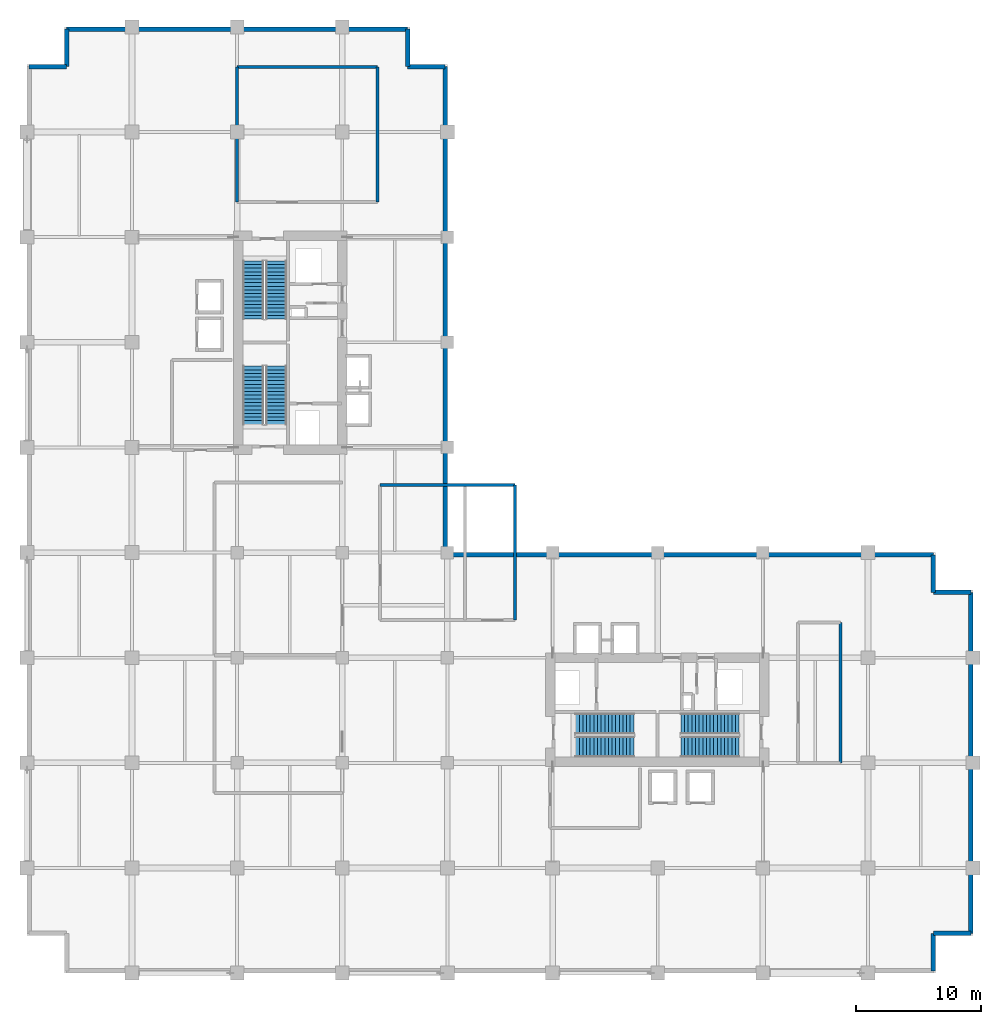
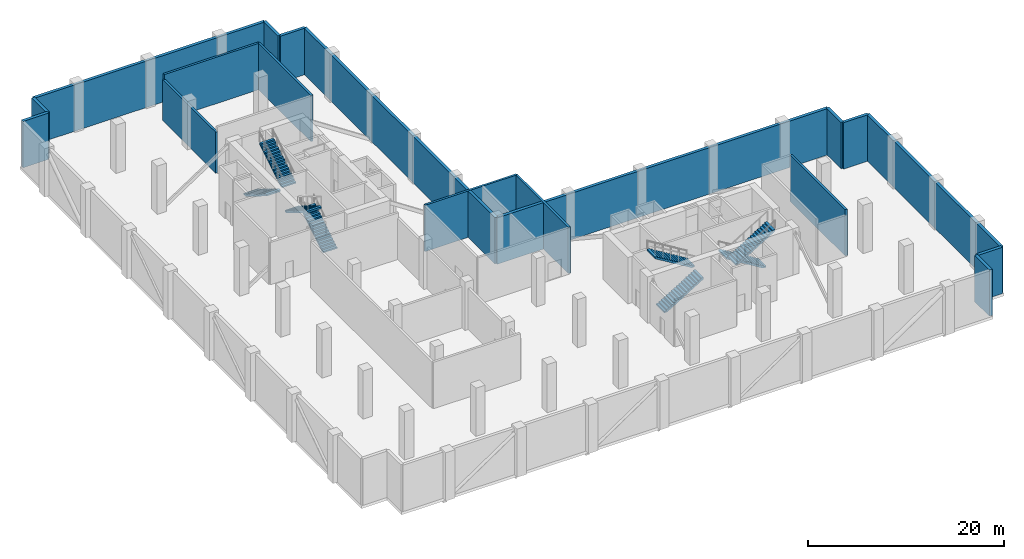
# One storey, part 14 of 16: 18 walls, 8 stair flights, 4 elements without a shape of their own.
"""IFC4 building model written with IfcOpenShell, lengths in metres."""

from ifc_helpers import new_model, si_unit, direction, frame, frame_2d, origin, place, context, subcontext, project, spatial, polyline, rectangle, outline, extrude, material, layer, layer_set, type_object, element, aggregate, save


model = new_model("IFC4")

# Units and contexts
model_context = context("Model", 3, precision=1e-05, world=origin(), true_north=direction((0.0, 1.0)))
body_context = subcontext(model_context, "Body", "Model", "MODEL_VIEW")
ifc_project = project(units=[si_unit("LENGTHUNIT", "METRE"), si_unit("AREAUNIT", "SQUARE_METRE"), si_unit("VOLUMEUNIT", "CUBIC_METRE"), si_unit("PLANEANGLEUNIT", "RADIAN"), si_unit("MASSUNIT", "GRAM", prefix="KILO")], contexts=[model_context])

# Site, building, storey
site_placement = place(None, origin())
site = spatial("IfcSite", under=ifc_project, at=site_placement, CompositionType="ELEMENT")
building_placement = place(site_placement, origin())
building = spatial("IfcBuilding", under=site, at=building_placement, Name="Koriwani Terraces Tower", CompositionType="ELEMENT")
storey_placement = place(building_placement, frame((0.0, 0.0, 162.0)))
storey = spatial("IfcBuildingStorey", under=building, at=storey_placement, Name="L39", CompositionType="ELEMENT", Elevation=162.0)

# Walls
ifc_material_1 = material(Name="Concrete C50/60", Category="concrete")
ifc_layer_1 = layer(ifc_material_1, 0.35009765625, Name="Concrete C50/60")
ifc_layer_set_1 = layer_set([ifc_layer_1], Name="Concrete C50/60")
wall_type_1 = type_object("IfcWallType", Name="WALL_EXT_BRUTALIST_350", PredefinedType="STANDARD", material=ifc_layer_set_1)
for number, where, z_axis, x_axis, name in (
    (1, (0.175048828125, 72.425048828125, 0.0), (0.0, 0.0, 1.0), (1.0, 0.0, 0.0), "L39 Fair-Faced Brutalist Exterior Wall (N3)"),
    (2, (3.175048828125, 72.425048828125, 0.0), (0.0, 0.0, 1.0), (0.0, 1.0, 0.0), "L39 Fair-Faced Brutalist Exterior Wall (N4)"),
):
    element("IfcWall", number, at=place(storey_placement, frame(where, z_axis=z_axis, x_axis=x_axis)), inside=storey, type_object=wall_type_1, Name=name, PredefinedType="STANDARD", context=body_context, shape_type="SweptSolid", body=[
        extrude(rectangle(XDim=3.0, YDim=0.35009765625, at=frame_2d((1.5, 0.0))), origin(), (0.0, 0.0, 1.0), 5.77001953125),
    ])
wall_1_placement = place(storey_placement, frame((3.175048828125, 75.425048828125, 0.0), z_axis=(0.0, 0.0, 1.0), x_axis=(1.0, 0.0, 0.0)))
element("IfcWall", 3, at=wall_1_placement, inside=storey, type_object=wall_type_1, Name="L39 Fair-Faced Brutalist Exterior Wall (N_TIP)", PredefinedType="STANDARD", context=body_context, shape_type="SweptSolid", body=[
    extrude(rectangle(XDim=27.25, YDim=0.35009765625, at=frame_2d((13.625, 0.0))), origin(), (0.0, 0.0, 1.0), 5.77001953125),
])
for number, where, z_axis, x_axis, name in (
    (4, (30.425048828125, 75.425048828125, 0.0), (0.0, 0.0, 1.0), (0.0, -1.0, 0.0), "L39 Fair-Faced Brutalist Exterior Wall (N6)"),
    (5, (30.425048828125, 72.425048828125, 0.0), (0.0, 0.0, 1.0), (1.0, 0.0, 0.0), "L39 Fair-Faced Brutalist Exterior Wall (N7)"),
):
    element("IfcWall", number, at=place(storey_placement, frame(where, z_axis=z_axis, x_axis=x_axis)), inside=storey, type_object=wall_type_1, Name=name, PredefinedType="STANDARD", context=body_context, shape_type="SweptSolid", body=[
        extrude(rectangle(XDim=3.0, YDim=0.35009765625, at=frame_2d((1.5, 0.0))), origin(), (0.0, 0.0, 1.0), 5.77001953125),
    ])
for number, where, z_axis, x_axis, name in (
    (6, (33.425048828125, 72.425048828125, 0.0), (0.0, 0.0, 1.0), (0.0, -1.0, 0.0), "L39 Fair-Faced Brutalist Exterior Wall (NW_IN)"),
    (7, (33.425048828125, 33.425048828125, 0.0), (0.0, 0.0, 1.0), (1.0, 0.0, 0.0), "L39 Fair-Faced Brutalist Exterior Wall (NE)"),
):
    element("IfcWall", number, at=place(storey_placement, frame(where, z_axis=z_axis, x_axis=x_axis)), inside=storey, type_object=wall_type_1, Name=name, PredefinedType="STANDARD", context=body_context, shape_type="SweptSolid", body=[
        extrude(rectangle(XDim=39.0, YDim=0.35009765625, at=frame_2d((19.5, 0.0))), origin(), (0.0, 0.0, 1.0), 5.77001953125),
    ])
for number, where, z_axis, x_axis, name in (
    (8, (72.425048828125, 33.425048828125, 0.0), (0.0, 0.0, 1.0), (0.0, -1.0, 0.0), "L39 Fair-Faced Brutalist Exterior Wall (N10)"),
    (9, (72.425048828125, 30.425048828125, 0.0), (0.0, 0.0, 1.0), (1.0, 0.0, 0.0), "L39 Fair-Faced Brutalist Exterior Wall (N11)"),
):
    element("IfcWall", number, at=place(storey_placement, frame(where, z_axis=z_axis, x_axis=x_axis)), inside=storey, type_object=wall_type_1, Name=name, PredefinedType="STANDARD", context=body_context, shape_type="SweptSolid", body=[
        extrude(rectangle(XDim=3.0, YDim=0.35009765625, at=frame_2d((1.5, 0.0))), origin(), (0.0, 0.0, 1.0), 5.77001953125),
    ])
wall_2_placement = place(storey_placement, frame((75.425048828125, 30.425048828125, 0.0), z_axis=(0.0, 0.0, 1.0), x_axis=(0.0, -1.0, 0.0)))
element("IfcWall", 10, at=wall_2_placement, inside=storey, type_object=wall_type_1, Name="L39 Fair-Faced Brutalist Exterior Wall (E_TIP)", PredefinedType="STANDARD", context=body_context, shape_type="SweptSolid", body=[
    extrude(rectangle(XDim=27.25, YDim=0.35009765625, at=frame_2d((13.625, 0.0))), origin(), (0.0, 0.0, 1.0), 5.77001953125),
])
for number, where, z_axis, x_axis, name in (
    (11, (75.425048828125, 3.175048828125, 0.0), (0.0, 0.0, 1.0), (-1.0, 0.0, 0.0), "L39 Fair-Faced Brutalist Exterior Wall (N13)"),
    (12, (72.425048828125, 3.175048828125, 0.0), (0.0, 0.0, 1.0), (0.0, -1.0, 0.0), "L39 Fair-Faced Brutalist Exterior Wall (N14)"),
):
    element("IfcWall", number, at=place(storey_placement, frame(where, z_axis=z_axis, x_axis=x_axis)), inside=storey, type_object=wall_type_1, Name=name, PredefinedType="STANDARD", context=body_context, shape_type="SweptSolid", body=[
        extrude(rectangle(XDim=3.0, YDim=0.35009765625, at=frame_2d((1.5, 0.0))), origin(), (0.0, 0.0, 1.0), 5.77001953125),
    ])
ifc_material_2 = material(Name="Concrete C40/50", Category="concrete")
ifc_layer_2 = layer(ifc_material_2, 0.25, Name="Concrete C40/50")
ifc_layer_set_2 = layer_set([ifc_layer_2], Name="Concrete C40/50")
wall_type_2 = type_object("IfcWallType", Name="WALL_SHAFT_RATED_250", PredefinedType="SOLIDWALL", material=ifc_layer_set_2)
wall_3_placement = place(storey_placement, frame((16.800048828125, 72.39990234375, 0.0), z_axis=(0.0, 0.0, 1.0), x_axis=(1.0, 0.0, 0.0)))
element("IfcWall", 13, at=wall_3_placement, inside=storey, type_object=wall_type_2, Name="L39 Interior Wall WREF-W2-L39", PredefinedType="SOLIDWALL", context=body_context, shape_type="SweptSolid", body=[
    extrude(rectangle(XDim=11.199951171875, YDim=0.25, at=frame_2d((5.60009765625, 0.0))), origin(), (0.0, 0.0, 1.0), 5.77001953125),
])
wall_4_placement = place(storey_placement, frame((16.800048828125, 61.60009765625, 0.0), z_axis=(0.0, 0.0, 1.0), x_axis=(0.0, 1.0, 0.0)))
element("IfcWall", 14, at=wall_4_placement, inside=storey, type_object=wall_type_2, Name="L39 Interior Wall WREF-W3-L39", PredefinedType="SOLIDWALL", context=body_context, shape_type="SweptSolid", body=[
    extrude(rectangle(XDim=10.7998046875, YDim=0.25, at=frame_2d((5.39990234375, 0.0))), origin(), (0.0, 0.0, 1.0), 5.1201171875),
])
wall_5_placement = place(storey_placement, frame((28.0, 61.60009765625, 0.0), z_axis=(0.0, 0.0, 1.0), x_axis=(0.0, 1.0, 0.0)))
element("IfcWall", 15, at=wall_5_placement, inside=storey, type_object=wall_type_2, Name="L39 Interior Wall WREF-W4-L39", PredefinedType="SOLIDWALL", context=body_context, shape_type="SweptSolid", body=[
    extrude(rectangle(XDim=10.7998046875, YDim=0.25, at=frame_2d((5.39990234375, 0.0))), origin(), (0.0, 0.0, 1.0), 5.77001953125),
])
wall_6_placement = place(storey_placement, frame((65.0, 16.800048828125, 0.0), z_axis=(0.0, 0.0, 1.0), x_axis=(0.0, 1.0, 0.0)))
element("IfcWall", 16, at=wall_6_placement, inside=storey, type_object=wall_type_2, Name="L39 Interior Wall WREF-E2-L39", PredefinedType="SOLIDWALL", context=body_context, shape_type="SweptSolid", body=[
    extrude(rectangle(XDim=11.199951171875, YDim=0.25, at=frame_2d((5.60009765625, 0.0))), origin(), (0.0, 0.0, 1.0), 5.77001953125),
])
for number, where, z_axis, x_axis, name in (
    (17, (39.0, 28.199951171875, 0.0), (0.0, 0.0, 1.0), (0.0, 1.0, 0.0), "L39 Interior Wall WPL2-L39-E"),
    (18, (28.199951171875, 39.0, 0.0), (0.0, 0.0, 1.0), (1.0, 0.0, 0.0), "L39 Interior Wall WPL2-L39-N"),
):
    element("IfcWall", number, at=place(storey_placement, frame(where, z_axis=z_axis, x_axis=x_axis)), inside=storey, type_object=wall_type_2, Name=name, PredefinedType="SOLIDWALL", context=body_context, shape_type="SweptSolid", body=[
        extrude(rectangle(XDim=10.800048828125, YDim=0.25, at=frame_2d((5.39990234375, 0.0))), origin(), (0.0, 0.0, 1.0), 5.77001953125),
    ])

# Stair, stair flights
stair_type = type_object("IfcStairType", Name="STAIR_CORE_DOGLEG_1650", PredefinedType="TWO_STRAIGHT_RUN_STAIR", material=ifc_material_2)
stair_1_placement = place(storey_placement, origin())
stair_1 = element("IfcStair", 19, at=stair_1_placement, inside=storey, type_object=stair_type, Name="L39 West Core Exit Stair 1", PredefinedType="HALF_TURN_STAIR")
stair_flight_type = type_object("IfcStairFlightType", Name="STAIR_FLIGHT_RC_1650", PredefinedType="STRAIGHT", material=ifc_material_2)
stair_flight_1_placement = place(storey_placement, frame((19.925048828125, 43.85009765625, 0.0), z_axis=(0.0, 0.0, 1.0), x_axis=(0.0, 1.0, 0.0)))
stair_flight_1 = element("IfcStairFlight", 20, at=stair_flight_1_placement, type_object=stair_flight_type, Name="ST-W1 flight 1", NumberOfRisers=17, NumberOfTreads=16, PredefinedType="STRAIGHT", RiserHeight=0.176470588, TreadLength=0.29, context=body_context, shape_type="SweptSolid", body=[
    extrude(outline(polyline([(0.0, 0.0), (0.0, 0.176513671875), (0.2900390625, 0.176513671875), (0.2900390625, 0.35302734375), (0.580078125, 0.35302734375), (0.580078125, 0.529296875), (0.8701171875, 0.529296875), (0.8701171875, 0.705810546875), (1.159912109375, 0.705810546875), (1.159912109375, 0.88232421875), (1.449951171875, 0.88232421875), (1.449951171875, 1.058837890625), (1.739990234375, 1.058837890625), (1.739990234375, 1.2353515625), (2.030029296875, 1.2353515625), (2.030029296875, 1.411865234375), (2.320068359375, 1.411865234375), (2.320068359375, 1.588134765625), (2.610107421875, 1.588134765625), (2.610107421875, 1.7646484375), (2.89990234375, 1.7646484375), (2.89990234375, 1.941162109375), (3.18994140625, 1.941162109375), (3.18994140625, 2.11767578125), (3.47998046875, 2.11767578125), (3.47998046875, 2.294189453125), (3.77001953125, 2.294189453125), (3.77001953125, 2.470703125), (4.06005859375, 2.470703125), (4.06005859375, 2.64697265625), (4.35009765625, 2.64697265625), (4.35009765625, 2.823486328125), (4.639892578125, 2.823486328125), (4.639892578125, 3.0), (4.639892578125, 2.61279296875), (0.34619140625, 0.0), (0.0, 0.0)])), frame((0.0, 0.824951171875, 0.0), z_axis=(0.0, -1.0, 0.0), x_axis=(1.0, 0.0, 0.0)), (0.0, 0.0, 1.0), 1.64990234375),
])
stair_flight_2_placement = place(storey_placement, frame((18.074951171875, 48.489990234375, 3.0), z_axis=(0.0, 0.0, 1.0), x_axis=(0.0, -1.0, 0.0)))
stair_flight_2 = element("IfcStairFlight", 21, at=stair_flight_2_placement, type_object=stair_flight_type, Name="ST-W1 flight 2", NumberOfRisers=17, NumberOfTreads=16, PredefinedType="STRAIGHT", RiserHeight=0.176470588, TreadLength=0.29, context=body_context, shape_type="SweptSolid", body=[
    extrude(outline(polyline([(0.0, 0.0), (0.0, 0.176513671875), (0.2900390625, 0.176513671875), (0.2900390625, 0.35302734375), (0.580078125, 0.35302734375), (0.580078125, 0.529296875), (0.8701171875, 0.529296875), (0.8701171875, 0.705810546875), (1.159912109375, 0.705810546875), (1.159912109375, 0.88232421875), (1.449951171875, 0.88232421875), (1.449951171875, 1.058837890625), (1.739990234375, 1.058837890625), (1.739990234375, 1.2353515625), (2.030029296875, 1.2353515625), (2.030029296875, 1.411865234375), (2.320068359375, 1.411865234375), (2.320068359375, 1.588134765625), (2.610107421875, 1.588134765625), (2.610107421875, 1.7646484375), (2.89990234375, 1.7646484375), (2.89990234375, 1.941162109375), (3.18994140625, 1.941162109375), (3.18994140625, 2.11767578125), (3.47998046875, 2.11767578125), (3.47998046875, 2.294189453125), (3.77001953125, 2.294189453125), (3.77001953125, 2.470703125), (4.06005859375, 2.470703125), (4.06005859375, 2.64697265625), (4.35009765625, 2.64697265625), (4.35009765625, 2.823486328125), (4.639892578125, 2.823486328125), (4.639892578125, 3.0), (4.639892578125, 2.61279296875), (0.34619140625, 0.0), (0.0, 0.0)])), frame((0.0, 0.824951171875, 0.0), z_axis=(0.0, -1.0, 0.0), x_axis=(1.0, 0.0, 0.0)), (0.0, 0.0, 1.0), 1.64990234375),
])
aggregate(stair_1, [stair_flight_1, stair_flight_2])

stair_2_placement = place(storey_placement, origin())
stair_2 = element("IfcStair", 22, at=stair_2_placement, inside=storey, type_object=stair_type, Name="L39 West Core Exit Stair 2", PredefinedType="HALF_TURN_STAIR")
stair_flight_3_placement = place(storey_placement, frame((18.074951171875, 56.89990234375, 0.0), z_axis=(0.0, 0.0, 1.0), x_axis=(0.0, -1.0, 0.0)))
stair_flight_3 = element("IfcStairFlight", 23, at=stair_flight_3_placement, type_object=stair_flight_type, Name="ST-W2 flight 1", NumberOfRisers=17, NumberOfTreads=16, PredefinedType="STRAIGHT", RiserHeight=0.176470588, TreadLength=0.29, context=body_context, shape_type="SweptSolid", body=[
    extrude(outline(polyline([(0.0, 0.0), (0.0, 0.176513671875), (0.2900390625, 0.176513671875), (0.2900390625, 0.35302734375), (0.580078125, 0.35302734375), (0.580078125, 0.529296875), (0.8701171875, 0.529296875), (0.8701171875, 0.705810546875), (1.159912109375, 0.705810546875), (1.159912109375, 0.88232421875), (1.449951171875, 0.88232421875), (1.449951171875, 1.058837890625), (1.739990234375, 1.058837890625), (1.739990234375, 1.2353515625), (2.030029296875, 1.2353515625), (2.030029296875, 1.411865234375), (2.320068359375, 1.411865234375), (2.320068359375, 1.588134765625), (2.610107421875, 1.588134765625), (2.610107421875, 1.7646484375), (2.89990234375, 1.7646484375), (2.89990234375, 1.941162109375), (3.18994140625, 1.941162109375), (3.18994140625, 2.11767578125), (3.47998046875, 2.11767578125), (3.47998046875, 2.294189453125), (3.77001953125, 2.294189453125), (3.77001953125, 2.470703125), (4.06005859375, 2.470703125), (4.06005859375, 2.64697265625), (4.35009765625, 2.64697265625), (4.35009765625, 2.823486328125), (4.639892578125, 2.823486328125), (4.639892578125, 3.0), (4.639892578125, 2.61279296875), (0.34619140625, 0.0), (0.0, 0.0)])), frame((0.0, 0.824951171875, 0.0), z_axis=(0.0, -1.0, 0.0), x_axis=(1.0, 0.0, 0.0)), (0.0, 0.0, 1.0), 1.64990234375),
])
stair_flight_4_placement = place(storey_placement, frame((19.925048828125, 52.260009765625, 3.0), z_axis=(0.0, 0.0, 1.0), x_axis=(0.0, 1.0, 0.0)))
stair_flight_4 = element("IfcStairFlight", 24, at=stair_flight_4_placement, type_object=stair_flight_type, Name="ST-W2 flight 2", NumberOfRisers=17, NumberOfTreads=16, PredefinedType="STRAIGHT", RiserHeight=0.176470588, TreadLength=0.29, context=body_context, shape_type="SweptSolid", body=[
    extrude(outline(polyline([(0.0, 0.0), (0.0, 0.176513671875), (0.2900390625, 0.176513671875), (0.2900390625, 0.35302734375), (0.580078125, 0.35302734375), (0.580078125, 0.529296875), (0.8701171875, 0.529296875), (0.8701171875, 0.705810546875), (1.159912109375, 0.705810546875), (1.159912109375, 0.88232421875), (1.449951171875, 0.88232421875), (1.449951171875, 1.058837890625), (1.739990234375, 1.058837890625), (1.739990234375, 1.2353515625), (2.030029296875, 1.2353515625), (2.030029296875, 1.411865234375), (2.320068359375, 1.411865234375), (2.320068359375, 1.588134765625), (2.610107421875, 1.588134765625), (2.610107421875, 1.7646484375), (2.89990234375, 1.7646484375), (2.89990234375, 1.941162109375), (3.18994140625, 1.941162109375), (3.18994140625, 2.11767578125), (3.47998046875, 2.11767578125), (3.47998046875, 2.294189453125), (3.77001953125, 2.294189453125), (3.77001953125, 2.470703125), (4.06005859375, 2.470703125), (4.06005859375, 2.64697265625), (4.35009765625, 2.64697265625), (4.35009765625, 2.823486328125), (4.639892578125, 2.823486328125), (4.639892578125, 3.0), (4.639892578125, 2.61279296875), (0.34619140625, 0.0), (0.0, 0.0)])), frame((0.0, 0.824951171875, 0.0), z_axis=(0.0, -1.0, 0.0), x_axis=(1.0, 0.0, 0.0)), (0.0, 0.0, 1.0), 1.64990234375),
])
aggregate(stair_2, [stair_flight_3, stair_flight_4])

stair_3_placement = place(storey_placement, origin())
stair_3 = element("IfcStair", 25, at=stair_3_placement, inside=storey, type_object=stair_type, Name="L39 East Core Exit Stair 1", PredefinedType="HALF_TURN_STAIR")
stair_flight_5_placement = place(storey_placement, frame((43.85009765625, 18.074951171875, 0.0), z_axis=(0.0, 0.0, 1.0), x_axis=(1.0, 0.0, 0.0)))
stair_flight_5 = element("IfcStairFlight", 26, at=stair_flight_5_placement, type_object=stair_flight_type, Name="ST-E1 flight 1", NumberOfRisers=17, NumberOfTreads=16, PredefinedType="STRAIGHT", RiserHeight=0.176470588, TreadLength=0.29, context=body_context, shape_type="SweptSolid", body=[
    extrude(outline(polyline([(0.0, 0.0), (0.0, 0.176513671875), (0.2900390625, 0.176513671875), (0.2900390625, 0.35302734375), (0.580078125, 0.35302734375), (0.580078125, 0.529296875), (0.8701171875, 0.529296875), (0.8701171875, 0.705810546875), (1.159912109375, 0.705810546875), (1.159912109375, 0.88232421875), (1.449951171875, 0.88232421875), (1.449951171875, 1.058837890625), (1.739990234375, 1.058837890625), (1.739990234375, 1.2353515625), (2.030029296875, 1.2353515625), (2.030029296875, 1.411865234375), (2.320068359375, 1.411865234375), (2.320068359375, 1.588134765625), (2.610107421875, 1.588134765625), (2.610107421875, 1.7646484375), (2.89990234375, 1.7646484375), (2.89990234375, 1.941162109375), (3.18994140625, 1.941162109375), (3.18994140625, 2.11767578125), (3.47998046875, 2.11767578125), (3.47998046875, 2.294189453125), (3.77001953125, 2.294189453125), (3.77001953125, 2.470703125), (4.06005859375, 2.470703125), (4.06005859375, 2.64697265625), (4.35009765625, 2.64697265625), (4.35009765625, 2.823486328125), (4.639892578125, 2.823486328125), (4.639892578125, 3.0), (4.639892578125, 2.61279296875), (0.34619140625, 0.0), (0.0, 0.0)])), frame((0.0, 0.824951171875, 0.0), z_axis=(0.0, -1.0, 0.0), x_axis=(1.0, 0.0, 0.0)), (0.0, 0.0, 1.0), 1.64990234375),
])
stair_flight_6_placement = place(storey_placement, frame((48.489990234375, 19.925048828125, 3.0), z_axis=(0.0, 0.0, 1.0), x_axis=(-1.0, 0.0, 0.0)))
stair_flight_6 = element("IfcStairFlight", 27, at=stair_flight_6_placement, type_object=stair_flight_type, Name="ST-E1 flight 2", NumberOfRisers=17, NumberOfTreads=16, PredefinedType="STRAIGHT", RiserHeight=0.176470588, TreadLength=0.29, context=body_context, shape_type="SweptSolid", body=[
    extrude(outline(polyline([(0.0, 0.0), (0.0, 0.176513671875), (0.2900390625, 0.176513671875), (0.2900390625, 0.35302734375), (0.580078125, 0.35302734375), (0.580078125, 0.529296875), (0.8701171875, 0.529296875), (0.8701171875, 0.705810546875), (1.159912109375, 0.705810546875), (1.159912109375, 0.88232421875), (1.449951171875, 0.88232421875), (1.449951171875, 1.058837890625), (1.739990234375, 1.058837890625), (1.739990234375, 1.2353515625), (2.030029296875, 1.2353515625), (2.030029296875, 1.411865234375), (2.320068359375, 1.411865234375), (2.320068359375, 1.588134765625), (2.610107421875, 1.588134765625), (2.610107421875, 1.7646484375), (2.89990234375, 1.7646484375), (2.89990234375, 1.941162109375), (3.18994140625, 1.941162109375), (3.18994140625, 2.11767578125), (3.47998046875, 2.11767578125), (3.47998046875, 2.294189453125), (3.77001953125, 2.294189453125), (3.77001953125, 2.470703125), (4.06005859375, 2.470703125), (4.06005859375, 2.64697265625), (4.35009765625, 2.64697265625), (4.35009765625, 2.823486328125), (4.639892578125, 2.823486328125), (4.639892578125, 3.0), (4.639892578125, 2.61279296875), (0.34619140625, 0.0), (0.0, 0.0)])), frame((0.0, 0.824951171875, 0.0), z_axis=(0.0, -1.0, 0.0), x_axis=(1.0, 0.0, 0.0)), (0.0, 0.0, 1.0), 1.64990234375),
])
aggregate(stair_3, [stair_flight_5, stair_flight_6])

stair_4_placement = place(storey_placement, origin())
stair_4 = element("IfcStair", 28, at=stair_4_placement, inside=storey, type_object=stair_type, Name="L39 East Core Exit Stair 2", PredefinedType="HALF_TURN_STAIR")
stair_flight_7_placement = place(storey_placement, frame((56.89990234375, 19.925048828125, 0.0), z_axis=(0.0, 0.0, 1.0), x_axis=(-1.0, 0.0, 0.0)))
stair_flight_7 = element("IfcStairFlight", 29, at=stair_flight_7_placement, type_object=stair_flight_type, Name="ST-E2 flight 1", NumberOfRisers=17, NumberOfTreads=16, PredefinedType="STRAIGHT", RiserHeight=0.176470588, TreadLength=0.29, context=body_context, shape_type="SweptSolid", body=[
    extrude(outline(polyline([(0.0, 0.0), (0.0, 0.176513671875), (0.2900390625, 0.176513671875), (0.2900390625, 0.35302734375), (0.580078125, 0.35302734375), (0.580078125, 0.529296875), (0.8701171875, 0.529296875), (0.8701171875, 0.705810546875), (1.159912109375, 0.705810546875), (1.159912109375, 0.88232421875), (1.449951171875, 0.88232421875), (1.449951171875, 1.058837890625), (1.739990234375, 1.058837890625), (1.739990234375, 1.2353515625), (2.030029296875, 1.2353515625), (2.030029296875, 1.411865234375), (2.320068359375, 1.411865234375), (2.320068359375, 1.588134765625), (2.610107421875, 1.588134765625), (2.610107421875, 1.7646484375), (2.89990234375, 1.7646484375), (2.89990234375, 1.941162109375), (3.18994140625, 1.941162109375), (3.18994140625, 2.11767578125), (3.47998046875, 2.11767578125), (3.47998046875, 2.294189453125), (3.77001953125, 2.294189453125), (3.77001953125, 2.470703125), (4.06005859375, 2.470703125), (4.06005859375, 2.64697265625), (4.35009765625, 2.64697265625), (4.35009765625, 2.823486328125), (4.639892578125, 2.823486328125), (4.639892578125, 3.0), (4.639892578125, 2.61279296875), (0.34619140625, 0.0), (0.0, 0.0)])), frame((0.0, 0.824951171875, 0.0), z_axis=(0.0, -1.0, 0.0), x_axis=(1.0, 0.0, 0.0)), (0.0, 0.0, 1.0), 1.64990234375),
])
stair_flight_8_placement = place(storey_placement, frame((52.260009765625, 18.074951171875, 3.0), z_axis=(0.0, 0.0, 1.0), x_axis=(1.0, 0.0, 0.0)))
stair_flight_8 = element("IfcStairFlight", 30, at=stair_flight_8_placement, type_object=stair_flight_type, Name="ST-E2 flight 2", NumberOfRisers=17, NumberOfTreads=16, PredefinedType="STRAIGHT", RiserHeight=0.176470588, TreadLength=0.29, context=body_context, shape_type="SweptSolid", body=[
    extrude(outline(polyline([(0.0, 0.0), (0.0, 0.176513671875), (0.2900390625, 0.176513671875), (0.2900390625, 0.35302734375), (0.580078125, 0.35302734375), (0.580078125, 0.529296875), (0.8701171875, 0.529296875), (0.8701171875, 0.705810546875), (1.159912109375, 0.705810546875), (1.159912109375, 0.88232421875), (1.449951171875, 0.88232421875), (1.449951171875, 1.058837890625), (1.739990234375, 1.058837890625), (1.739990234375, 1.2353515625), (2.030029296875, 1.2353515625), (2.030029296875, 1.411865234375), (2.320068359375, 1.411865234375), (2.320068359375, 1.588134765625), (2.610107421875, 1.588134765625), (2.610107421875, 1.7646484375), (2.89990234375, 1.7646484375), (2.89990234375, 1.941162109375), (3.18994140625, 1.941162109375), (3.18994140625, 2.11767578125), (3.47998046875, 2.11767578125), (3.47998046875, 2.294189453125), (3.77001953125, 2.294189453125), (3.77001953125, 2.470703125), (4.06005859375, 2.470703125), (4.06005859375, 2.64697265625), (4.35009765625, 2.64697265625), (4.35009765625, 2.823486328125), (4.639892578125, 2.823486328125), (4.639892578125, 3.0), (4.639892578125, 2.61279296875), (0.34619140625, 0.0), (0.0, 0.0)])), frame((0.0, 0.824951171875, 0.0), z_axis=(0.0, -1.0, 0.0), x_axis=(1.0, 0.0, 0.0)), (0.0, 0.0, 1.0), 1.64990234375),
])
aggregate(stair_4, [stair_flight_7, stair_flight_8])

save(model, "model.ifc")
